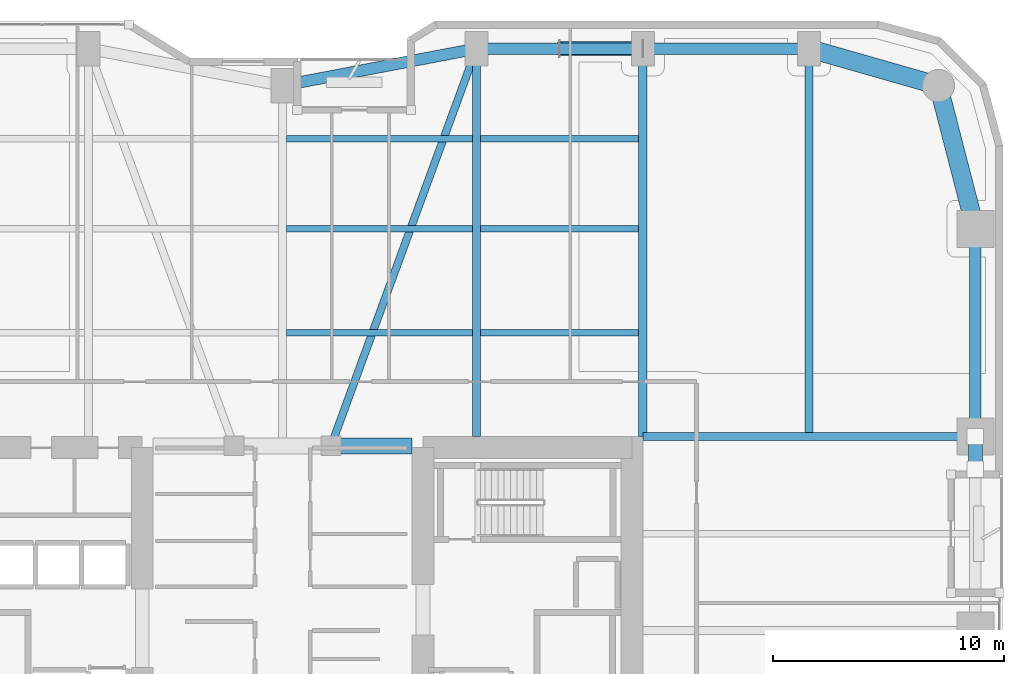
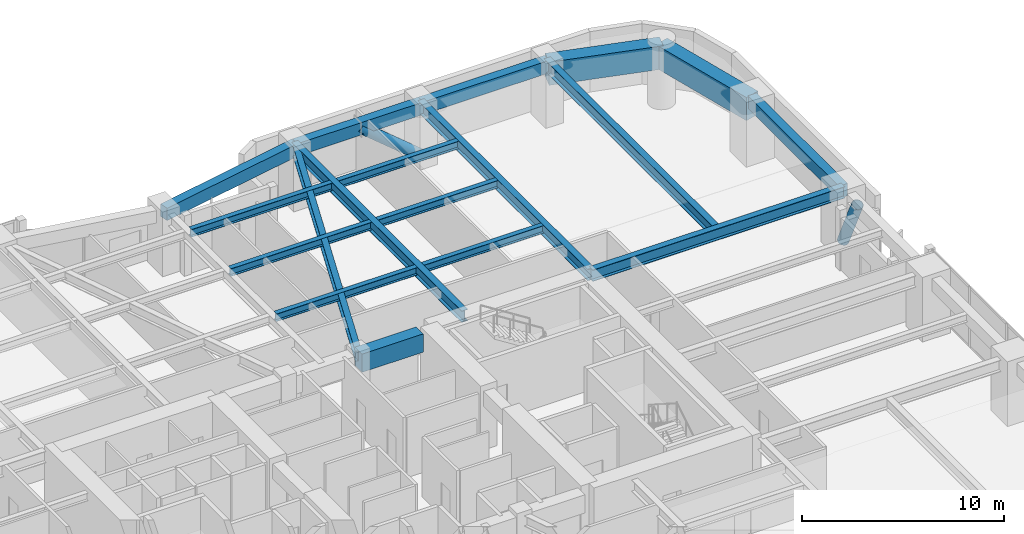
# One storey, part 18 of 28: 18 beams, 2 members.
"""IFC4 building model written with IfcOpenShell, lengths in metres."""

from ifc_helpers import new_model, si_unit, direction, frame, origin, origin_2d, place, context, subcontext, project, spatial, rectangle, hollow_circle, i_section, extrude, material, material_profile, profile_set, type_object, element, save


model = new_model("IFC4")

# Units and contexts
model_context = context("Model", 3, precision=1e-05, world=origin(), true_north=direction((0.0, 1.0)))
body_context = subcontext(model_context, "Body", "Model", "MODEL_VIEW")
ifc_project = project(units=[si_unit("LENGTHUNIT", "METRE"), si_unit("AREAUNIT", "SQUARE_METRE"), si_unit("VOLUMEUNIT", "CUBIC_METRE"), si_unit("PLANEANGLEUNIT", "RADIAN"), si_unit("MASSUNIT", "GRAM", prefix="KILO")], contexts=[model_context])

# Site, building, storey
site_placement = place(None, origin())
site = spatial("IfcSite", under=ifc_project, at=site_placement, CompositionType="ELEMENT")
building_placement = place(site_placement, origin())
building = spatial("IfcBuilding", under=site, at=building_placement, Name="Kiyonajd Concourse Tower", CompositionType="ELEMENT")
storey_placement = place(building_placement, frame((0.0, 0.0, 33.300048828125)))
storey = spatial("IfcBuildingStorey", under=building, at=storey_placement, Name="L09", CompositionType="ELEMENT", Elevation=33.300048828125)

# Beams
ifc_material_1 = material(Name="Concrete C70/85", Category="concrete")
ifc_material_profile_1 = material_profile(ifc_material_1, rectangle(XDim=0.699951171875, YDim=1.10009765625, at=origin_2d()), Name="RCBM-700x1100")
ifc_profile_set_1 = profile_set([ifc_material_profile_1], Name="Concrete C70/85")
beam_type_1 = type_object("IfcBeamType", Name="BM-COUP-1100", PredefinedType="LINTEL", material=ifc_profile_set_1)
beam_1_placement = place(storey_placement, frame((50.10009765625, 44.0, 3.08984375), z_axis=(1.0, 0.0, 0.0), x_axis=(0.0, 1.0, 0.0)))
element("IfcBeam", 1, at=beam_1_placement, inside=storey, type_object=beam_type_1, Name="L09 Core Coupling Beam N3", PredefinedType="LINTEL", context=body_context, shape_type="SweptSolid", body=[
    extrude(rectangle(XDim=0.699951171875, YDim=1.10009765625, at=origin_2d()), origin(), (0.0, 0.0, 1.0), 3.5),
])
ifc_material_2 = material(Name="Steel ASTM A992 Grade 50", Category="steel")
ifc_material_profile_2 = material_profile(ifc_material_2, i_section(OverallWidth=0.280029296875, OverallDepth=0.462890625, WebThickness=0.0107421875, FlangeThickness=0.017333984375, at=origin_2d()), Name="W460X113")
ifc_profile_set_2 = profile_set([ifc_material_profile_2], Name="Steel ASTM A992 Grade 50")
beam_type_2 = type_object("IfcBeamType", Name="BM-JST-460A", PredefinedType="JOIST", material=ifc_profile_set_2)
beam_2_placement = place(storey_placement, frame((48.177490234375, 48.89990234375, 3.408447265625), z_axis=(1.0, 0.0, 0.0), x_axis=(0.0, 1.0, 0.0)))
element("IfcBeam", 2, at=beam_2_placement, inside=storey, type_object=beam_type_2, Name="L09 Secondary Floor Joist", PredefinedType="JOIST", context=body_context, shape_type="SweptSolid", body=[
    extrude(i_section(OverallWidth=0.280029296875, OverallDepth=0.462890625, WebThickness=0.0107421875, FlangeThickness=0.017333984375, at=origin_2d()), origin(), (0.0, 0.0, 1.0), 8.044921875),
])
beam_3_placement = place(storey_placement, frame((56.577392578125, 48.89990234375, 3.408447265625), z_axis=(1.0, 0.0, 0.0), x_axis=(0.0, 1.0, 0.0)))
element("IfcBeam", 3, at=beam_3_placement, inside=storey, type_object=beam_type_2, Name="L09 Secondary Floor Joist", PredefinedType="JOIST", context=body_context, shape_type="SweptSolid", body=[
    extrude(i_section(OverallWidth=0.280029296875, OverallDepth=0.462890625, WebThickness=0.0107421875, FlangeThickness=0.017333984375, at=origin_2d()), origin(), (0.0, 0.0, 1.0), 6.84521484375),
])
beam_4_placement = place(storey_placement, frame((48.177490234375, 53.39990234375, 3.408447265625), z_axis=(1.0, 0.0, 0.0), x_axis=(0.0, 1.0, 0.0)))
element("IfcBeam", 4, at=beam_4_placement, inside=storey, type_object=beam_type_2, Name="L09 Secondary Floor Joist", PredefinedType="JOIST", context=body_context, shape_type="SweptSolid", body=[
    extrude(i_section(OverallWidth=0.280029296875, OverallDepth=0.462890625, WebThickness=0.0107421875, FlangeThickness=0.017333984375, at=origin_2d()), origin(), (0.0, 0.0, 1.0), 8.044921875),
])
beam_5_placement = place(storey_placement, frame((56.577392578125, 53.39990234375, 3.408447265625), z_axis=(1.0, 0.0, 0.0), x_axis=(0.0, 1.0, 0.0)))
element("IfcBeam", 5, at=beam_5_placement, inside=storey, type_object=beam_type_2, Name="L09 Secondary Floor Joist", PredefinedType="JOIST", context=body_context, shape_type="SweptSolid", body=[
    extrude(i_section(OverallWidth=0.280029296875, OverallDepth=0.462890625, WebThickness=0.0107421875, FlangeThickness=0.017333984375, at=origin_2d()), origin(), (0.0, 0.0, 1.0), 6.84521484375),
])
beam_6_placement = place(storey_placement, frame((48.177490234375, 57.300048828125, 3.408447265625), z_axis=(1.0, 0.0, 0.0), x_axis=(0.0, 1.0, 0.0)))
element("IfcBeam", 6, at=beam_6_placement, inside=storey, type_object=beam_type_2, Name="L09 Secondary Floor Joist", PredefinedType="JOIST", context=body_context, shape_type="SweptSolid", body=[
    extrude(i_section(OverallWidth=0.280029296875, OverallDepth=0.462890625, WebThickness=0.0107421875, FlangeThickness=0.017333984375, at=origin_2d()), origin(), (0.0, 0.0, 1.0), 8.044921875),
])
beam_7_placement = place(storey_placement, frame((56.577392578125, 57.300048828125, 3.408447265625), z_axis=(1.0, 0.0, 0.0), x_axis=(0.0, 1.0, 0.0)))
element("IfcBeam", 7, at=beam_7_placement, inside=storey, type_object=beam_type_2, Name="L09 Secondary Floor Joist", PredefinedType="JOIST", context=body_context, shape_type="SweptSolid", body=[
    extrude(i_section(OverallWidth=0.280029296875, OverallDepth=0.462890625, WebThickness=0.0107421875, FlangeThickness=0.017333984375, at=origin_2d()), origin(), (0.0, 0.0, 1.0), 6.84521484375),
])
ifc_material_3 = material(Name="Precast concrete C50/60", Category="concrete")
ifc_material_profile_3 = material_profile(ifc_material_3, rectangle(XDim=0.5, YDim=0.75, at=origin_2d()), Name="RCBM-500x750")
ifc_profile_set_3 = profile_set([ifc_material_profile_3], Name="Precast concrete C50/60")
beam_type_3 = type_object("IfcBeamType", Name="BM-SPAN-RC", PredefinedType="SPANDREL", material=ifc_profile_set_3)
beam_8_placement = place(storey_placement, frame((78.0, 44.39990234375, 3.264892578125), z_axis=(0.0, 1.0, 0.0), x_axis=(-1.0, 0.0, 0.0)))
element("IfcBeam", 8, at=beam_8_placement, inside=storey, type_object=beam_type_3, Name="L09 Perimeter Bundled Tube Spandrel", PredefinedType="SPANDREL", context=body_context, shape_type="SweptSolid", body=[
    extrude(rectangle(XDim=0.5, YDim=0.75, at=origin_2d()), origin(), (0.0, 0.0, 1.0), 9.0),
])
beam_9_placement = place(storey_placement, frame((70.800048828125, 61.199951171875, 3.264892578125), z_axis=(-1.0, 0.0, 0.0), x_axis=(0.0, -1.0, 0.0)))
element("IfcBeam", 9, at=beam_9_placement, inside=storey, type_object=beam_type_3, Name="L09 Perimeter Bundled Tube Spandrel", PredefinedType="SPANDREL", context=body_context, shape_type="SweptSolid", body=[
    extrude(rectangle(XDim=0.5, YDim=0.75, at=origin_2d()), origin(), (0.0, 0.0, 1.0), 7.199951171875),
])
beam_10_placement = place(storey_placement, frame((63.60009765625, 61.199951171875, 3.264892578125), z_axis=(-1.0, 0.0, 0.0), x_axis=(0.0, -1.0, 0.0)))
element("IfcBeam", 10, at=beam_10_placement, inside=storey, type_object=beam_type_3, Name="L09 Perimeter Bundled Tube Spandrel", PredefinedType="SPANDREL", context=body_context, shape_type="SweptSolid", body=[
    extrude(rectangle(XDim=0.5, YDim=0.75, at=origin_2d()), origin(), (0.0, 0.0, 1.0), 7.2001953125),
])
beam_11_placement = place(storey_placement, frame((56.39990234375, 61.199951171875, 3.264892578125), z_axis=(-0.982341315253, -0.187097675953, 0.0), x_axis=(0.187097675953, -0.982341315253, 0.0)))
element("IfcBeam", 11, at=beam_11_placement, inside=storey, type_object=beam_type_3, Name="L09 Perimeter Bundled Tube Spandrel", PredefinedType="SPANDREL", context=body_context, shape_type="SweptSolid", body=[
    extrude(rectangle(XDim=0.5, YDim=0.75, at=origin_2d()), origin(), (0.0, 0.0, 1.0), 8.55078125),
])
ifc_material_profile_4 = material_profile(ifc_material_2, i_section(OverallWidth=0.326904296875, OverallDepth=0.6220703125, WebThickness=0.015380859375, FlangeThickness=0.0244140625, at=origin_2d()), Name="W610X195")
ifc_profile_set_4 = profile_set([ifc_material_profile_4], Name="Steel ASTM A992 Grade 50")
beam_type_4 = type_object("IfcBeamType", Name="BM-TWR-610A", PredefinedType="BEAM", material=ifc_profile_set_4)
beam_12_placement = place(storey_placement, frame((50.10009765625, 44.0, 3.328857421875), z_axis=(0.343925269715, 0.938997022813, 0.0), x_axis=(-0.938997022813, 0.343925269715, 0.0)))
element("IfcBeam", 12, at=beam_12_placement, inside=storey, type_object=beam_type_4, Name="L09 Core Tie Girder", PredefinedType="BEAM", context=body_context, shape_type="SweptSolid", body=[
    extrude(i_section(OverallWidth=0.326904296875, OverallDepth=0.6220703125, WebThickness=0.015380859375, FlangeThickness=0.0244140625, at=origin_2d()), origin(), (0.0, 0.0, 1.0), 18.3173828125),
])
ifc_material_profile_5 = material_profile(ifc_material_2, i_section(OverallWidth=0.35498046875, OverallDepth=0.695068359375, WebThickness=0.015380859375, FlangeThickness=0.02490234375, at=origin_2d()), Name="W690X217")
ifc_profile_set_5 = profile_set([ifc_material_profile_5], Name="Steel ASTM A992 Grade 50")
beam_type_5 = type_object("IfcBeamType", Name="BM-TWR-690", PredefinedType="BEAM", material=ifc_profile_set_5)
for number, where, z_axis, x_axis, name in (
    (13, (56.39990234375, 44.39990234375, 3.29248046875), (0.0, 1.0, 0.0), (-1.0, 0.0, 0.0), "L09 North Lease Girder"),
    (14, (63.60009765625, 44.39990234375, 3.29248046875), (0.0, 1.0, 0.0), (-1.0, 0.0, 0.0), "L09 North Lease Girder"),
    (15, (70.800048828125, 44.39990234375, 3.29248046875), (0.0, 1.0, 0.0), (-1.0, 0.0, 0.0), "L09 North Lease Girder"),
):
    element("IfcBeam", number, at=place(storey_placement, frame(where, z_axis=z_axis, x_axis=x_axis)), inside=storey, type_object=beam_type_5, Name=name, PredefinedType="BEAM", context=body_context, shape_type="SweptSolid", body=[
        extrude(i_section(OverallWidth=0.35498046875, OverallDepth=0.695068359375, WebThickness=0.015380859375, FlangeThickness=0.02490234375, at=origin_2d()), origin(), (0.0, 0.0, 1.0), 16.800048828125),
    ])
beam_13_placement = place(storey_placement, frame((63.60009765625, 44.39990234375, 3.29248046875), z_axis=(1.0, 0.0, 0.0), x_axis=(0.0, 1.0, 0.0)))
element("IfcBeam", 16, at=beam_13_placement, inside=storey, type_object=beam_type_5, Name="L09 East Lease Girder", PredefinedType="BEAM", context=body_context, shape_type="SweptSolid", body=[
    extrude(i_section(OverallWidth=0.35498046875, OverallDepth=0.695068359375, WebThickness=0.015380859375, FlangeThickness=0.02490234375, at=origin_2d()), origin(), (0.0, 0.0, 1.0), 14.39990234375),
])
ifc_material_4 = material(Name="Concrete C60/75", Category="concrete")
ifc_material_profile_6 = material_profile(ifc_material_4, rectangle(XDim=0.800048828125, YDim=1.39990234375, at=origin_2d()), Name="RCBM-800x1400")
ifc_profile_set_6 = profile_set([ifc_material_profile_6], Name="Concrete C60/75")
beam_type_6 = type_object("IfcBeamType", Name="BM-XFER-RC", PredefinedType="BEAM", material=ifc_profile_set_6)
beam_14_placement = place(storey_placement, frame((78.0, 53.39990234375, 2.93994140625), z_axis=(-0.249884937687, 0.968275538221, 0.0), x_axis=(-0.968275538221, -0.249884937687, 0.0)))
element("IfcBeam", 17, at=beam_14_placement, inside=storey, type_object=beam_type_6, Name="L09 Perimeter Bundled Tube Spandrel", PredefinedType="BEAM", context=body_context, shape_type="SweptSolid", body=[
    extrude(rectangle(XDim=0.800048828125, YDim=1.39990234375, at=origin_2d()), origin(), (0.0, 0.0, 1.0), 6.4033203125),
])
beam_15_placement = place(storey_placement, frame((76.39990234375, 59.60009765625, 2.93994140625), z_axis=(-0.961528693205, 0.274704517878, 0.0), x_axis=(-0.274704517878, -0.961528693205, 0.0)))
element("IfcBeam", 18, at=beam_15_placement, inside=storey, type_object=beam_type_6, Name="L09 Perimeter Bundled Tube Spandrel", PredefinedType="BEAM", context=body_context, shape_type="SweptSolid", body=[
    extrude(rectangle(XDim=0.800048828125, YDim=1.39990234375, at=origin_2d()), origin(), (0.0, 0.0, 1.0), 5.823974609375),
])

# Members
ifc_material_5 = material(Name="Steel ASTM A572 Grade 50", Category="steel")
ifc_material_profile_7 = material_profile(ifc_material_5, hollow_circle(Radius=0.304931640625, WallThickness=0.02490234375, at=origin_2d()), Name="CHS-610x25")
ifc_profile_set_7 = profile_set([ifc_material_profile_7], Name="Steel ASTM A572 Grade 50")
member_type = type_object("IfcMemberType", Name="MB-PB-LOW", PredefinedType="BRACE", material=ifc_profile_set_7)
member_1_placement = place(storey_placement, frame((63.60009765625, 61.199951171875, 0.300048828125), z_axis=(-0.769280705518, 0.0, 0.638910945373), x_axis=(0.0, -1.0, 0.0)))
element("IfcMember", 19, at=member_1_placement, inside=storey, type_object=member_type, Name="L09 Lower Zone Welded Tube Brace PBN", PredefinedType="BRACE", context=body_context, shape_type="SweptSolid", body=[
    extrude(hollow_circle(Radius=0.304931640625, WallThickness=0.02490234375, at=origin_2d()), origin(), (0.0, 0.0, 1.0), 4.679931640625),
])
member_2_placement = place(storey_placement, frame((78.0, 44.39990234375, 0.300048828125), z_axis=(0.0, -0.424022702926, 0.905651559598), x_axis=(1.0, 0.0, 0.0)))
element("IfcMember", 20, at=member_2_placement, inside=storey, type_object=member_type, Name="L09 Lower Zone Welded Tube Brace PBE", PredefinedType="BRACE", context=body_context, shape_type="SweptSolid", body=[
    extrude(hollow_circle(Radius=0.304931640625, WallThickness=0.02490234375, at=origin_2d()), origin(), (0.0, 0.0, 1.0), 3.301513671875),
])

save(model, "model.ifc")
